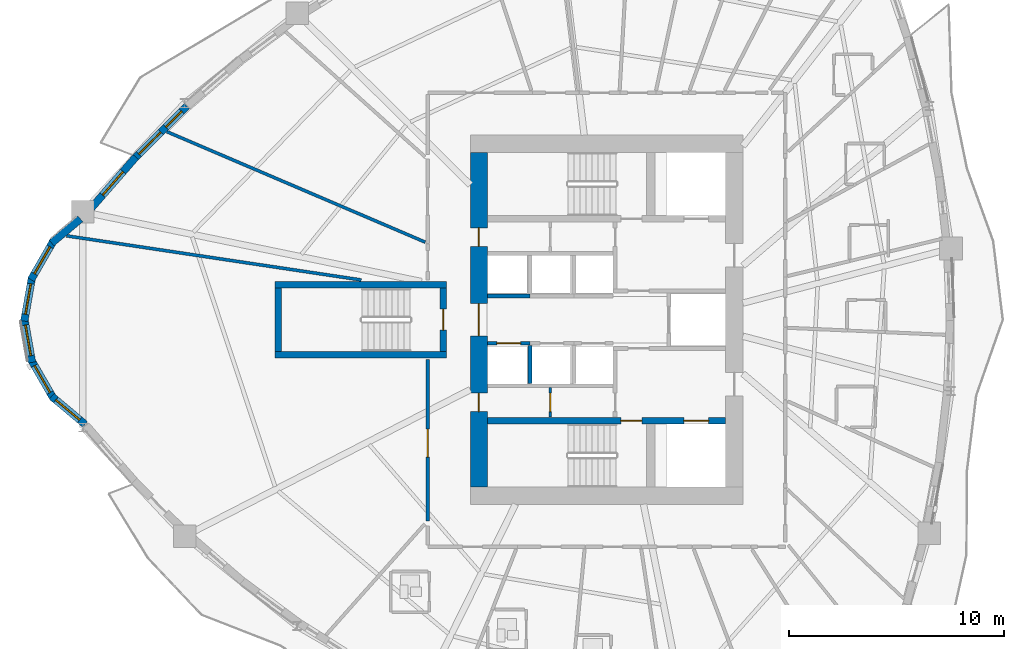
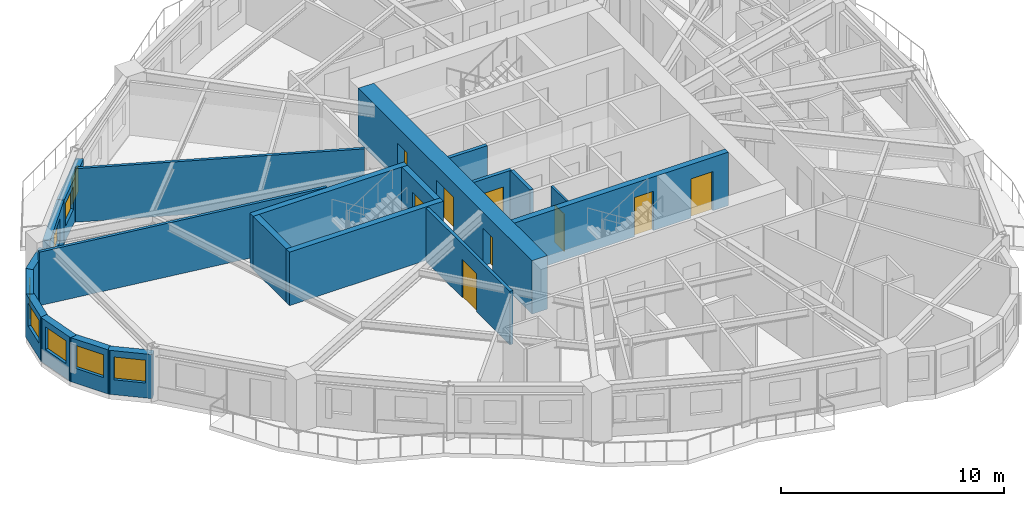
# One storey, part 4 of 14: 21 walls, 9 doors, 8 windows, 17 openings.
"""IFC4 building model written with IfcOpenShell, lengths in metres."""

from ifc_helpers import new_model, si_unit, direction, frame, frame_2d, origin, place, context, subcontext, project, spatial, rectangle, extrude, source, transform, mapped, material, layer, layer_set, type_object, element, fill, save


model = new_model("IFC4")

# Units and contexts
model_context = context("Model", 3, precision=1e-05, world=origin(), true_north=direction((0.0, 1.0)))
body_context = subcontext(model_context, "Body", "Model", "MODEL_VIEW")
ifc_project = project(units=[si_unit("LENGTHUNIT", "METRE"), si_unit("AREAUNIT", "SQUARE_METRE"), si_unit("VOLUMEUNIT", "CUBIC_METRE"), si_unit("PLANEANGLEUNIT", "RADIAN"), si_unit("MASSUNIT", "GRAM", prefix="KILO")], contexts=[model_context])

# Site, building, storey
site_placement = place(None, origin())
site = spatial("IfcSite", under=ifc_project, at=site_placement, CompositionType="ELEMENT")
building_placement = place(site_placement, origin())
building = spatial("IfcBuilding", under=site, at=building_placement, Name="Qafzar Sky-Pleat Residences", CompositionType="ELEMENT")
storey_placement = place(building_placement, frame((0.0, 0.0, 23.800048828125)))
storey = spatial("IfcBuildingStorey", under=building, at=storey_placement, Name="L06", CompositionType="ELEMENT", Elevation=23.800048828125)

# Wall, opening, door
ifc_material_1 = material(Name="Acoustic gypsum plasterboard partition", Category="gypsum")
ifc_layer_1 = layer(ifc_material_1, 0.159912109375)
ifc_layer_set_1 = layer_set([ifc_layer_1], Name="Acoustic gypsum plasterboard partition")
wall_type_1 = type_object("IfcWallType", Name="PART-COR-160", PredefinedType="PARTITIONING", material=ifc_layer_set_1)
wall_1_placement = place(storey_placement, frame((22.02001953125, 16.615966796875, 0.0), z_axis=(0.0, 0.0, 1.0), x_axis=(0.0, 1.0, 0.0)))
wall_1 = element("IfcWall", 1, at=wall_1_placement, inside=storey, type_object=wall_type_1, Name="L06 Partition Wall PART-L06-PW-001", PredefinedType="PARTITIONING", context=body_context, shape_type="SweptSolid", body=[
    extrude(rectangle(XDim=7.533935546875, YDim=0.159912109375, at=frame_2d((3.76708984375, 0.0))), origin(), (0.0, 0.0, 1.0), 2.93505859375),
])
opening_1_placement = place(wall_1_placement, frame((2.98046875, 0.0, 0.0)))
opening_1 = element("IfcOpeningElement", 2, at=opening_1_placement, cuts=wall_1, Name="Opening ID-05", PredefinedType="OPENING", context=body_context, shape_type="SweptSolid", body=[
    extrude(rectangle(XDim=1.300048828125, YDim=2.10009765625, at=frame_2d((0.64990234375, 1.050048828125))), frame((0.0, 0.08984375, 0.0), z_axis=(0.0, -1.0, 0.0), x_axis=(1.0, 0.0, 0.0)), (0.0, 0.0, 1.0), 0.179931640625),
])
ifc_material_2 = material(Name="Timber-faced fire door", Category="wood")
door_type_1 = type_object("IfcDoorType", Name="DR-LNG-1300", OperationType="DOUBLE_DOOR_SINGLE_SWING", PredefinedType="DOOR", material=ifc_material_2)
shared_shape_1 = source(origin(), body_context, "Body", "SweptSolid", [
    extrude(rectangle(XDim=1.300048828125, YDim=2.10009765625, at=frame_2d((0.64990234375, 1.050048828125))), frame((0.0, 0.02490234375, 0.0), z_axis=(0.0, -1.0, 0.0), x_axis=(1.0, 0.0, 0.0)), (0.0, 0.0, 1.0), 0.050048828125),
])
door_1_placement = place(opening_1_placement, origin())
door_1 = element("IfcDoor", 3, at=door_1_placement, inside=storey, type_object=door_type_1, Name="L06 Academic Seminar Room Door", OperationType="DOUBLE_DOOR_SINGLE_SWING", OverallHeight=2.10009765625, OverallWidth=1.300048828125, PredefinedType="DOOR", context=body_context, shape_type="MappedRepresentation", body=[
    mapped(shared_shape_1, transform((0.0, 0.0, 0.0), x_axis=(1.0, 0.0, 0.0), y_axis=(0.0, 1.0, 0.0), z_axis=(0.0, 0.0, 1.0), scale=1.0)),
])
fill(opening_1, door_1)

ifc_material_3 = material(Name="Concrete blockwork partition", Category="masonry")
ifc_layer_2 = layer(ifc_material_3, 0.179931640625)
ifc_layer_set_2 = layer_set([ifc_layer_2], Name="Concrete blockwork partition")
wall_type_2 = type_object("IfcWallType", Name="PART-SHAFT-180", PredefinedType="PARTITIONING", material=ifc_layer_set_2)
wall_2_placement = place(storey_placement, frame((24.81005859375, 24.89990234375, 0.0), z_axis=(0.0, 0.0, 1.0), x_axis=(1.0, 0.0, 0.0)))
wall_2 = element("IfcWall", 4, at=wall_2_placement, inside=storey, type_object=wall_type_2, Name="L06 Partition Wall PART-L06-P1-N", PredefinedType="PARTITIONING", context=body_context, shape_type="SweptSolid", body=[
    extrude(rectangle(XDim=1.96484375, YDim=0.179931640625, at=frame_2d((0.982421875, 0.0))), origin(), (0.0, 0.0, 1.0), 2.93505859375),
])
opening_2_placement = place(wall_2_placement, frame((0.4326171875, 0.0, 0.0)))
opening_2 = element("IfcOpeningElement", 5, at=opening_2_placement, cuts=wall_2, Name="Opening LD-01", PredefinedType="OPENING", context=body_context, shape_type="SweptSolid", body=[
    extrude(rectangle(XDim=1.10009765625, YDim=2.14990234375, at=frame_2d((0.550048828125, 1.074951171875))), frame((0.0, 0.10009765625, 0.0), z_axis=(0.0, -1.0, 0.0), x_axis=(1.0, 0.0, 0.0)), (0.0, 0.0, 1.0), 0.199951171875),
])
ifc_material_4 = material(Name="Stainless steel sliding landing door", Category="steel")
door_type_2 = type_object("IfcDoorType", Name="DR-LIFT-P", OperationType="DOUBLE_DOOR_SLIDING", PredefinedType="DOOR", material=ifc_material_4)
shared_shape_2 = source(origin(), body_context, "Body", "SweptSolid", [
    extrude(rectangle(XDim=1.10009765625, YDim=2.14990234375, at=frame_2d((0.550048828125, 1.074951171875))), frame((0.0, 0.02490234375, 0.0), z_axis=(0.0, -1.0, 0.0), x_axis=(1.0, 0.0, 0.0)), (0.0, 0.0, 1.0), 0.050048828125),
])
door_2_placement = place(opening_2_placement, origin())
door_2 = element("IfcDoor", 6, at=door_2_placement, inside=storey, type_object=door_type_2, Name="L06 Passenger Lift P1 Landing Door", OperationType="DOUBLE_DOOR_SLIDING", OverallHeight=2.14990234375, OverallWidth=1.10009765625, PredefinedType="DOOR", context=body_context, shape_type="MappedRepresentation", body=[
    mapped(shared_shape_2, transform((0.0, 0.0, 0.0), x_axis=(1.0, 0.0, 0.0), y_axis=(0.0, 1.0, 0.0), z_axis=(0.0, 0.0, 1.0), scale=1.0)),
])
fill(opening_2, door_2)

# Walls
wall_3_placement = place(storey_placement, frame((26.77490234375, 23.02001953125, 0.0), z_axis=(0.0, 0.0, 1.0), x_axis=(0.0, 1.0, 0.0)))
element("IfcWall", 7, at=wall_3_placement, inside=storey, type_object=wall_type_2, Name="L06 Partition Wall PART-L06-P13-DIV-1", PredefinedType="PARTITIONING", context=body_context, shape_type="SweptSolid", body=[
    extrude(rectangle(XDim=1.780029296875, YDim=0.179931640625, at=frame_2d((0.89013671875, 0.0))), origin(), (0.0, 0.0, 1.0), 2.93505859375),
])
wall_4_placement = place(storey_placement, frame((24.81005859375, 27.10009765625, 0.0), z_axis=(0.0, 0.0, 1.0), x_axis=(1.0, 0.0, 0.0)))
element("IfcWall", 8, at=wall_4_placement, inside=storey, type_object=wall_type_2, Name="L06 Partition Wall PART-L06-P4-S", PredefinedType="PARTITIONING", context=body_context, shape_type="SweptSolid", body=[
    extrude(rectangle(XDim=1.96484375, YDim=0.179931640625, at=frame_2d((0.982421875, 0.0))), origin(), (0.0, 0.0, 1.0), 2.93505859375),
])

# Wall, opening, door
ifc_material_5 = material(Name="Gypsum plasterboard partition", Category="gypsum")
ifc_layer_3 = layer(ifc_material_5, 0.114990234375)
ifc_layer_set_3 = layer_set([ifc_layer_3], Name="Gypsum plasterboard partition")
wall_type_3 = type_object("IfcWallType", Name="PART-SVC-115", PredefinedType="PARTITIONING", material=ifc_layer_set_3)
wall_5_placement = place(storey_placement, frame((27.72509765625, 21.4599609375, 0.0), z_axis=(0.0, 0.0, 1.0), x_axis=(0.0, 1.0, 0.0)))
wall_5 = element("IfcWall", 9, at=wall_5_placement, inside=storey, type_object=wall_type_3, Name="L06 Partition Wall PART-L06-KB-SW", PredefinedType="PARTITIONING", context=body_context, shape_type="SweptSolid", body=[
    extrude(rectangle(XDim=1.380126953125, YDim=0.114990234375, at=frame_2d((0.68994140625, 0.0))), origin(), (0.0, 0.0, 1.0), 2.93505859375),
])
opening_3_placement = place(wall_5_placement, frame((0.260009765625, 0.0, 0.0)))
opening_3 = element("IfcOpeningElement", 10, at=opening_3_placement, cuts=wall_5, Name="Opening ID-09", PredefinedType="OPENING", context=body_context, shape_type="SweptSolid", body=[
    extrude(rectangle(XDim=0.860107421875, YDim=2.050048828125, at=frame_2d((0.43017578125, 1.02490234375))), frame((0.0, 0.0673828125, 0.0), z_axis=(0.0, -1.0, 0.0), x_axis=(1.0, 0.0, 0.0)), (0.0, 0.0, 1.0), 0.135009765625),
])
door_type_3 = type_object("IfcDoorType", Name="DR-SVC-860", OperationType="NOTDEFINED", PredefinedType="DOOR", material=ifc_material_2)
shared_shape_3 = source(origin(), body_context, "Body", "SweptSolid", [
    extrude(rectangle(XDim=0.860107421875, YDim=2.050048828125, at=frame_2d((0.43017578125, 1.02490234375))), frame((0.0, 0.02490234375, 0.0), z_axis=(0.0, -1.0, 0.0), x_axis=(1.0, 0.0, 0.0)), (0.0, 0.0, 1.0), 0.050048828125),
])
door_3_placement = place(opening_3_placement, origin())
door_3 = element("IfcDoor", 11, at=door_3_placement, inside=storey, type_object=door_type_3, Name="L06 BMS Metering Cupboard Door", OperationType="SINGLE_SWING_RIGHT", OverallHeight=2.050048828125, OverallWidth=0.860107421875, PredefinedType="DOOR", context=body_context, shape_type="MappedRepresentation", body=[
    mapped(shared_shape_3, transform((0.0, 0.0, 0.0), x_axis=(1.0, 0.0, 0.0), y_axis=(0.0, 1.0, 0.0), z_axis=(0.0, 0.0, 1.0), scale=1.0)),
])
fill(opening_3, door_3)

# Walls
ifc_layer_4 = layer(ifc_material_1, 0.14501953125)
ifc_layer_set_4 = layer_set([ifc_layer_4], Name="Acoustic gypsum plasterboard partition")
wall_type_4 = type_object("IfcWallType", Name="PART-UNIT-145", PredefinedType="PARTITIONING", material=ifc_layer_set_4)
wall_6_placement = place(storey_placement, frame((5.18505859375, 29.908203125, 0.0), z_axis=(0.0, 0.0, 1.0), x_axis=(0.988958777333, -0.148190879394, 0.0)))
element("IfcWall", 12, at=wall_6_placement, inside=storey, type_object=wall_type_4, Name="L06 Partition Wall PART-L06-PW-034", PredefinedType="PARTITIONING", context=body_context, shape_type="SweptSolid", body=[
    extrude(rectangle(XDim=13.88818359375, YDim=0.14501953125, at=frame_2d((6.944091796875, 0.0))), origin(), (0.0, 0.0, 1.0), 2.93505859375),
])
wall_7_placement = place(storey_placement, frame((9.869140625, 34.7568359375, 0.0), z_axis=(0.0, 0.0, 1.0), x_axis=(0.919492001568, -0.393108711493, 0.0)))
element("IfcWall", 13, at=wall_7_placement, inside=storey, type_object=wall_type_4, Name="L06 Partition Wall PART-L06-PW-035", PredefinedType="PARTITIONING", context=body_context, shape_type="SweptSolid", body=[
    extrude(rectangle(XDim=13.088623046875, YDim=0.14501953125, at=frame_2d((6.54443359375, 0.0))), origin(), (0.0, 0.0, 1.0), 2.93505859375),
])
ifc_material_6 = material(Name="Precast concrete C40/50 with honed Riyadh limestone", Category="concrete")
ifc_layer_5 = layer(ifc_material_6, 0.35009765625)
ifc_layer_set_5 = layer_set([ifc_layer_5], Name="Precast concrete C40/50 with honed Riyadh limestone")
wall_type_5 = type_object("IfcWallType", Name="WALL-EXT-350", PredefinedType="SOLIDWALL", material=ifc_layer_set_5)
wall_8_placement = place(storey_placement, frame((5.837646484375, 30.696044921875, 0.0), z_axis=(0.0, 0.0, 1.0), x_axis=(-0.766001205563, -0.64283913468, 0.0)))
element("IfcWall", 14, at=wall_8_placement, inside=storey, type_object=wall_type_5, Name="L06 Limestone Facade Wall 1", PredefinedType="SOLIDWALL", context=body_context, shape_type="SweptSolid", body=[
    extrude(rectangle(XDim=1.75244140625, YDim=0.35009765625, at=frame_2d((0.876220703125, 0.0))), origin(), (0.0, 0.0, 1.0), 2.4150390625),
])

# Wall, opening, window
wall_9_placement = place(storey_placement, frame((4.58251953125, 29.673583984375, 0.0), z_axis=(0.0, 0.0, 1.0), x_axis=(-0.499995423472, -0.866028046028, 0.0)))
wall_9 = element("IfcWall", 15, at=wall_9_placement, inside=storey, type_object=wall_type_5, Name="L06 Limestone Facade Wall 2", PredefinedType="SOLIDWALL", context=body_context, shape_type="SweptSolid", body=[
    extrude(rectangle(XDim=2.09033203125, YDim=0.35009765625, at=frame_2d((1.045166015625, 0.0))), origin(), (0.0, 0.0, 1.0), 2.4150390625),
])
opening_4_placement = place(wall_9_placement, frame((0.3203125, 0.0, 0.820068359375)))
opening_4 = element("IfcOpeningElement", 16, at=opening_4_placement, cuts=wall_9, Name="Opening WN-15", PredefinedType="OPENING", context=body_context, shape_type="SweptSolid", body=[
    extrude(rectangle(XDim=1.449951171875, YDim=1.25, at=frame_2d((0.72509765625, 0.625))), frame((0.0, 0.18505859375, 0.0), z_axis=(0.0, -1.0, 0.0), x_axis=(1.0, 0.0, 0.0)), (0.0, 0.0, 1.0), 0.3701171875),
])
ifc_material_7 = material(Name="Solar-control low-E glass in bronze aluminium frame", Category="glass")
window_type_1 = type_object("IfcWindowType", Name="WIN-15", PartitioningType="SINGLE_PANEL", PredefinedType="WINDOW", material=ifc_material_7)
shared_shape_4 = source(origin(), body_context, "Body", "SweptSolid", [
    extrude(rectangle(XDim=1.449951171875, YDim=1.25, at=frame_2d((0.72509765625, 0.625))), frame((0.0, 0.030029296875, 0.0), z_axis=(0.0, -1.0, 0.0), x_axis=(1.0, 0.0, 0.0)), (0.0, 0.0, 1.0), 0.06005859375),
])
window_1_placement = place(opening_4_placement, origin())
window_1 = element("IfcWindow", 17, at=window_1_placement, inside=storey, type_object=window_type_1, Name="L06 Punched Facade Window 02", OverallHeight=1.25, OverallWidth=1.449951171875, PartitioningType="SINGLE_PANEL", PredefinedType="WINDOW", context=body_context, shape_type="MappedRepresentation", body=[
    mapped(shared_shape_4, transform((0.0, 0.0, 0.0), x_axis=(1.0, 0.0, 0.0), y_axis=(0.0, 1.0, 0.0), z_axis=(0.0, 0.0, 1.0), scale=1.0)),
])
fill(opening_4, window_1)

wall_10_placement = place(storey_placement, frame((3.583740234375, 27.99072265625, 0.0), z_axis=(0.0, 0.0, 1.0), x_axis=(-0.173672066494, -0.984803540469, 0.0)))
wall_10 = element("IfcWall", 18, at=wall_10_placement, inside=storey, type_object=wall_type_5, Name="L06 Limestone Facade Wall 3", PredefinedType="SOLIDWALL", context=body_context, shape_type="SweptSolid", body=[
    extrude(rectangle(XDim=2.09033203125, YDim=0.35009765625, at=frame_2d((1.045166015625, 0.0))), origin(), (0.0, 0.0, 1.0), 2.4150390625),
])
opening_5_placement = place(wall_10_placement, frame((0.3203125, 0.0, 0.820068359375)))
opening_5 = element("IfcOpeningElement", 19, at=opening_5_placement, cuts=wall_10, Name="Opening WN-15", PredefinedType="OPENING", context=body_context, shape_type="SweptSolid", body=[
    extrude(rectangle(XDim=1.449951171875, YDim=1.25, at=frame_2d((0.72509765625, 0.625))), frame((0.0, 0.18505859375, 0.0), z_axis=(0.0, -1.0, 0.0), x_axis=(1.0, 0.0, 0.0)), (0.0, 0.0, 1.0), 0.3701171875),
])
window_2_placement = place(opening_5_placement, origin())
window_2 = element("IfcWindow", 20, at=window_2_placement, inside=storey, type_object=window_type_1, Name="L06 Punched Facade Window 03", OverallHeight=1.25, OverallWidth=1.449951171875, PartitioningType="SINGLE_PANEL", PredefinedType="WINDOW", context=body_context, shape_type="MappedRepresentation", body=[
    mapped(shared_shape_4, transform((0.0, 0.0, 0.0), x_axis=(1.0, 0.0, 0.0), y_axis=(0.0, 1.0, 0.0), z_axis=(0.0, 0.0, 1.0), scale=1.0)),
])
fill(opening_5, window_2)

wall_11_placement = place(storey_placement, frame((3.220703125, 26.06787109375, 0.0), z_axis=(0.0, 0.0, 1.0), x_axis=(0.173672066494, -0.984803540469, 0.0)))
wall_11 = element("IfcWall", 21, at=wall_11_placement, inside=storey, type_object=wall_type_5, Name="L06 Limestone Facade Wall 4", PredefinedType="SOLIDWALL", context=body_context, shape_type="SweptSolid", body=[
    extrude(rectangle(XDim=2.09033203125, YDim=0.35009765625, at=frame_2d((1.045166015625, 0.0))), origin(), (0.0, 0.0, 1.0), 2.4150390625),
])
opening_6_placement = place(wall_11_placement, frame((0.3203125, 0.0, 0.820068359375)))
opening_6 = element("IfcOpeningElement", 22, at=opening_6_placement, cuts=wall_11, Name="Opening WN-15", PredefinedType="OPENING", context=body_context, shape_type="SweptSolid", body=[
    extrude(rectangle(XDim=1.449951171875, YDim=1.25, at=frame_2d((0.72509765625, 0.625))), frame((0.0, 0.18505859375, 0.0), z_axis=(0.0, -1.0, 0.0), x_axis=(1.0, 0.0, 0.0)), (0.0, 0.0, 1.0), 0.3701171875),
])
window_3_placement = place(opening_6_placement, origin())
window_3 = element("IfcWindow", 23, at=window_3_placement, inside=storey, type_object=window_type_1, Name="L06 Punched Facade Window 04", OverallHeight=1.25, OverallWidth=1.449951171875, PartitioningType="SINGLE_PANEL", PredefinedType="WINDOW", context=body_context, shape_type="MappedRepresentation", body=[
    mapped(shared_shape_4, transform((0.0, 0.0, 0.0), x_axis=(1.0, 0.0, 0.0), y_axis=(0.0, 1.0, 0.0), z_axis=(0.0, 0.0, 1.0), scale=1.0)),
])
fill(opening_6, window_3)

wall_12_placement = place(storey_placement, frame((3.537353515625, 24.13671875, 0.0), z_axis=(0.0, 0.0, 1.0), x_axis=(0.499995423472, -0.866028046028, 0.0)))
wall_12 = element("IfcWall", 24, at=wall_12_placement, inside=storey, type_object=wall_type_5, Name="L06 Limestone Facade Wall 5", PredefinedType="SOLIDWALL", context=body_context, shape_type="SweptSolid", body=[
    extrude(rectangle(XDim=2.09033203125, YDim=0.35009765625, at=frame_2d((1.045166015625, 0.0))), origin(), (0.0, 0.0, 1.0), 2.4150390625),
])
opening_7_placement = place(wall_12_placement, frame((0.3203125, 0.0, 0.820068359375)))
opening_7 = element("IfcOpeningElement", 25, at=opening_7_placement, cuts=wall_12, Name="Opening WN-15", PredefinedType="OPENING", context=body_context, shape_type="SweptSolid", body=[
    extrude(rectangle(XDim=1.449951171875, YDim=1.25, at=frame_2d((0.72509765625, 0.625))), frame((0.0, 0.18505859375, 0.0), z_axis=(0.0, -1.0, 0.0), x_axis=(1.0, 0.0, 0.0)), (0.0, 0.0, 1.0), 0.3701171875),
])
window_4_placement = place(opening_7_placement, origin())
window_4 = element("IfcWindow", 26, at=window_4_placement, inside=storey, type_object=window_type_1, Name="L06 Punched Facade Window 05", OverallHeight=1.25, OverallWidth=1.449951171875, PartitioningType="SINGLE_PANEL", PredefinedType="WINDOW", context=body_context, shape_type="MappedRepresentation", body=[
    mapped(shared_shape_4, transform((0.0, 0.0, 0.0), x_axis=(1.0, 0.0, 0.0), y_axis=(0.0, 1.0, 0.0), z_axis=(0.0, 0.0, 1.0), scale=1.0)),
])
fill(opening_7, window_4)

wall_13_placement = place(storey_placement, frame((4.495361328125, 22.430419921875, 0.0), z_axis=(0.0, 0.0, 1.0), x_axis=(0.766040796373, -0.642791955684, 0.0)))
wall_13 = element("IfcWall", 27, at=wall_13_placement, inside=storey, type_object=wall_type_5, Name="L06 Limestone Facade Wall 6", PredefinedType="SOLIDWALL", context=body_context, shape_type="SweptSolid", body=[
    extrude(rectangle(XDim=2.032470703125, YDim=0.35009765625, at=frame_2d((1.01611328125, 0.0))), origin(), (0.0, 0.0, 1.0), 2.4150390625),
])
opening_8_placement = place(wall_13_placement, frame((0.26123046875, 0.0, 0.820068359375)))
opening_8 = element("IfcOpeningElement", 28, at=opening_8_placement, cuts=wall_13, Name="Opening WN-15", PredefinedType="OPENING", context=body_context, shape_type="SweptSolid", body=[
    extrude(rectangle(XDim=1.449951171875, YDim=1.25, at=frame_2d((0.72509765625, 0.625))), frame((0.0, 0.18505859375, 0.0), z_axis=(0.0, -1.0, 0.0), x_axis=(1.0, 0.0, 0.0)), (0.0, 0.0, 1.0), 0.3701171875),
])
window_5_placement = place(opening_8_placement, origin())
window_5 = element("IfcWindow", 29, at=window_5_placement, inside=storey, type_object=window_type_1, Name="L06 Punched Facade Window 06", OverallHeight=1.25, OverallWidth=1.449951171875, PartitioningType="SINGLE_PANEL", PredefinedType="WINDOW", context=body_context, shape_type="MappedRepresentation", body=[
    mapped(shared_shape_4, transform((0.0, 0.0, 0.0), x_axis=(1.0, 0.0, 0.0), y_axis=(0.0, 1.0, 0.0), z_axis=(0.0, 0.0, 1.0), scale=1.0)),
])
fill(opening_8, window_5)

# Wall, openings, windows
wall_14_placement = place(storey_placement, frame((10.7998046875, 35.947021484375, 0.0), z_axis=(0.0, 0.0, 1.0), x_axis=(-0.708379570295, -0.705831696928, 0.0)))
wall_14 = element("IfcWall", 30, at=wall_14_placement, inside=storey, type_object=wall_type_5, Name="L06 Limestone Facade Wall 47", PredefinedType="SOLIDWALL", context=body_context, shape_type="SweptSolid", body=[
    extrude(rectangle(XDim=3.449462890625, YDim=0.35009765625, at=frame_2d((1.724609375, 0.0))), origin(), (0.0, 0.0, 1.0), 2.4150390625),
])
opening_9_placement = place(wall_14_placement, frame((0.338623046875, 0.0, 0.820068359375)))
opening_9 = element("IfcOpeningElement", 31, at=opening_9_placement, cuts=wall_14, Name="Opening WN-06", PredefinedType="OPENING", context=body_context, shape_type="SweptSolid", body=[
    extrude(rectangle(XDim=1.050048828125, YDim=1.449951171875, at=frame_2d((0.52490234375, 0.72509765625))), frame((0.0, 0.18505859375, 0.0), z_axis=(0.0, -1.0, 0.0), x_axis=(1.0, 0.0, 0.0)), (0.0, 0.0, 1.0), 0.3701171875),
])
opening_10_placement = place(wall_14_placement, frame((1.71337890625, 0.0, 0.820068359375)))
opening_10 = element("IfcOpeningElement", 32, at=opening_10_placement, cuts=wall_14, Name="Opening WN-15", PredefinedType="OPENING", context=body_context, shape_type="SweptSolid", body=[
    extrude(rectangle(XDim=1.449951171875, YDim=1.25, at=frame_2d((0.72509765625, 0.625))), frame((0.0, 0.18505859375, 0.0), z_axis=(0.0, -1.0, 0.0), x_axis=(1.0, 0.0, 0.0)), (0.0, 0.0, 1.0), 0.3701171875),
])
window_6_placement = place(opening_10_placement, origin())
window_6 = element("IfcWindow", 33, at=window_6_placement, inside=storey, type_object=window_type_1, Name="L06 Punched Facade Window 47-2", OverallHeight=1.25, OverallWidth=1.449951171875, PartitioningType="SINGLE_PANEL", PredefinedType="WINDOW", context=body_context, shape_type="MappedRepresentation", body=[
    mapped(shared_shape_4, transform((0.0, 0.0, 0.0), x_axis=(1.0, 0.0, 0.0), y_axis=(0.0, 1.0, 0.0), z_axis=(0.0, 0.0, 1.0), scale=1.0)),
])
fill(opening_10, window_6)
window_type_2 = type_object("IfcWindowType", Name="WIN-06", PartitioningType="SINGLE_PANEL", PredefinedType="WINDOW", material=ifc_material_7)
shared_shape_5 = source(origin(), body_context, "Body", "SweptSolid", [
    extrude(rectangle(XDim=1.050048828125, YDim=1.449951171875, at=frame_2d((0.52490234375, 0.72509765625))), frame((0.0, 0.030029296875, 0.0), z_axis=(0.0, -1.0, 0.0), x_axis=(1.0, 0.0, 0.0)), (0.0, 0.0, 1.0), 0.06005859375),
])
window_7_placement = place(opening_9_placement, origin())
window_7 = element("IfcWindow", 34, at=window_7_placement, inside=storey, type_object=window_type_2, Name="L06 Punched Facade Window 47", OverallHeight=1.449951171875, OverallWidth=1.050048828125, PartitioningType="SINGLE_PANEL", PredefinedType="WINDOW", context=body_context, shape_type="MappedRepresentation", body=[
    mapped(shared_shape_5, transform((0.0, 0.0, 0.0), x_axis=(1.0, 0.0, 0.0), y_axis=(0.0, 1.0, 0.0), z_axis=(0.0, 0.0, 1.0), scale=1.0)),
])
fill(opening_9, window_7)

# Wall, opening, window
wall_15_placement = place(storey_placement, frame((8.41650390625, 33.57666015625, 0.0), z_axis=(0.0, 0.0, 1.0), x_axis=(-0.657597964565, -0.75336904436, 0.0)))
wall_15 = element("IfcWall", 35, at=wall_15_placement, inside=storey, type_object=wall_type_5, Name="L06 Limestone Facade Wall 48", PredefinedType="SOLIDWALL", context=body_context, shape_type="SweptSolid", body=[
    extrude(rectangle(XDim=3.24267578125, YDim=0.35009765625, at=frame_2d((1.621337890625, 0.0))), origin(), (0.0, 0.0, 1.0), 2.4150390625),
])
opening_11_placement = place(wall_15_placement, frame((0.9013671875, 0.0, 0.820068359375)))
opening_11 = element("IfcOpeningElement", 36, at=opening_11_placement, cuts=wall_15, Name="Opening WN-15", PredefinedType="OPENING", context=body_context, shape_type="SweptSolid", body=[
    extrude(rectangle(XDim=1.449951171875, YDim=1.25, at=frame_2d((0.72509765625, 0.625))), frame((0.0, 0.18505859375, 0.0), z_axis=(0.0, -1.0, 0.0), x_axis=(1.0, 0.0, 0.0)), (0.0, 0.0, 1.0), 0.3701171875),
])
window_8_placement = place(opening_11_placement, origin())
window_8 = element("IfcWindow", 37, at=window_8_placement, inside=storey, type_object=window_type_1, Name="L06 Punched Facade Window 48", OverallHeight=1.25, OverallWidth=1.449951171875, PartitioningType="SINGLE_PANEL", PredefinedType="WINDOW", context=body_context, shape_type="MappedRepresentation", body=[
    mapped(shared_shape_4, transform((0.0, 0.0, 0.0), x_axis=(1.0, 0.0, 0.0), y_axis=(0.0, 1.0, 0.0), z_axis=(0.0, 0.0, 1.0), scale=1.0)),
])
fill(opening_11, window_8)

# Wall, openings, doors
ifc_material_8 = material(Name="Concrete C60/75", Category="concrete")
ifc_layer_6 = layer(ifc_material_8, 0.300048828125)
ifc_layer_set_6 = layer_set([ifc_layer_6], Name="Concrete C60/75")
wall_type_6 = type_object("IfcWallType", Name="WALL-SHEAR-300", PredefinedType="SHEAR", material=ifc_layer_set_6)
wall_16_placement = place(storey_placement, frame((24.800048828125, 21.300048828125, 0.0), z_axis=(0.0, 0.0, 1.0), x_axis=(1.0, 0.0, 0.0)))
wall_16 = element("IfcWall", 38, at=wall_16_placement, inside=storey, type_object=wall_type_6, Name="L06 Stair ST1 and FF1 Shaft North Wall", PredefinedType="SHEAR", context=body_context, shape_type="SweptSolid", body=[
    extrude(rectangle(XDim=11.099853515625, YDim=0.300048828125, at=frame_2d((5.5498046875, 0.0))), origin(), (0.0, 0.0, 1.0), 2.93505859375),
])
opening_12_placement = place(wall_16_placement, frame((6.219970703125, 0.0, 0.0)))
opening_12 = element("IfcOpeningElement", 39, at=opening_12_placement, cuts=wall_16, Name="Opening ID-01", PredefinedType="OPENING", context=body_context, shape_type="SweptSolid", body=[
    extrude(rectangle(XDim=0.97998046875, YDim=2.14990234375, at=frame_2d((0.489990234375, 1.074951171875))), frame((0.0, 0.16015625, 0.0), z_axis=(0.0, -1.0, 0.0), x_axis=(1.0, 0.0, 0.0)), (0.0, 0.0, 1.0), 0.320068359375),
])
opening_13_placement = place(wall_16_placement, frame((9.14990234375, 0.0, 0.0)))
opening_13 = element("IfcOpeningElement", 40, at=opening_13_placement, cuts=wall_16, Name="Opening LD-02", PredefinedType="OPENING", context=body_context, shape_type="SweptSolid", body=[
    extrude(rectangle(XDim=1.14990234375, YDim=2.14990234375, at=frame_2d((0.574951171875, 1.074951171875))), frame((0.0, 0.16015625, 0.0), z_axis=(0.0, -1.0, 0.0), x_axis=(1.0, 0.0, 0.0)), (0.0, 0.0, 1.0), 0.320068359375),
])
door_type_4 = type_object("IfcDoorType", Name="DR-STAIR-980", OperationType="NOTDEFINED", PredefinedType="DOOR", material=ifc_material_2)
shared_shape_6 = source(origin(), body_context, "Body", "SweptSolid", [
    extrude(rectangle(XDim=0.97998046875, YDim=2.14990234375, at=frame_2d((0.489990234375, 1.074951171875))), frame((0.0, 0.02490234375, 0.0), z_axis=(0.0, -1.0, 0.0), x_axis=(1.0, 0.0, 0.0)), (0.0, 0.0, 1.0), 0.050048828125),
])
door_4_placement = place(opening_12_placement, origin())
door_4 = element("IfcDoor", 41, at=door_4_placement, inside=storey, type_object=door_type_4, Name="L06 Stair ST1 Fire Door", OperationType="SINGLE_SWING_LEFT", OverallHeight=2.14990234375, OverallWidth=0.97998046875, PredefinedType="DOOR", context=body_context, shape_type="MappedRepresentation", body=[
    mapped(shared_shape_6, transform((0.0, 0.0, 0.0), x_axis=(1.0, 0.0, 0.0), y_axis=(0.0, 1.0, 0.0), z_axis=(0.0, 0.0, 1.0), scale=1.0)),
])
fill(opening_12, door_4)
door_type_5 = type_object("IfcDoorType", Name="DR-LIFT-FF", OperationType="DOUBLE_DOOR_SLIDING", PredefinedType="DOOR", material=ifc_material_4)
shared_shape_7 = source(origin(), body_context, "Body", "SweptSolid", [
    extrude(rectangle(XDim=1.14990234375, YDim=2.14990234375, at=frame_2d((0.574951171875, 1.074951171875))), frame((0.0, 0.02490234375, 0.0), z_axis=(0.0, -1.0, 0.0), x_axis=(1.0, 0.0, 0.0)), (0.0, 0.0, 1.0), 0.050048828125),
])
door_5_placement = place(opening_13_placement, origin())
door_5 = element("IfcDoor", 42, at=door_5_placement, inside=storey, type_object=door_type_5, Name="L06 Firefighting Lift FF1 Landing Door", OperationType="DOUBLE_DOOR_SLIDING", OverallHeight=2.14990234375, OverallWidth=1.14990234375, PredefinedType="DOOR", context=body_context, shape_type="MappedRepresentation", body=[
    mapped(shared_shape_7, transform((0.0, 0.0, 0.0), x_axis=(1.0, 0.0, 0.0), y_axis=(0.0, 1.0, 0.0), z_axis=(0.0, 0.0, 1.0), scale=1.0)),
])
fill(opening_13, door_5)

# Walls
for number, where, z_axis, x_axis, name in (
    (43, (14.89990234375, 24.375, 0.0), (0.0, 0.0, 1.0), (1.0, 0.0, 0.0), "L06 ST3 wall S"),
    (44, (22.89990234375, 27.625, 0.0), (0.0, 0.0, 1.0), (-1.0, 0.0, 0.0), "L06 ST3 wall N"),
):
    element("IfcWall", number, at=place(storey_placement, frame(where, z_axis=z_axis, x_axis=x_axis)), inside=storey, type_object=wall_type_6, Name=name, PredefinedType="SHEAR", context=body_context, shape_type="SweptSolid", body=[
        extrude(rectangle(XDim=8.0, YDim=0.300048828125, at=frame_2d((4.0, 0.0))), origin(), (0.0, 0.0, 1.0), 2.93505859375),
    ])
wall_17_placement = place(storey_placement, frame((15.050048828125, 27.47509765625, 0.0), z_axis=(0.0, 0.0, 1.0), x_axis=(0.0, -1.0, 0.0)))
element("IfcWall", 45, at=wall_17_placement, inside=storey, type_object=wall_type_6, Name="L06 ST3 wall W", PredefinedType="SHEAR", context=body_context, shape_type="SweptSolid", body=[
    extrude(rectangle(XDim=2.9501953125, YDim=0.300048828125, at=frame_2d((1.47509765625, 0.0))), origin(), (0.0, 0.0, 1.0), 2.93505859375),
])

# Wall, opening, door
wall_18_placement = place(storey_placement, frame((22.75, 24.52490234375, 0.0), z_axis=(0.0, 0.0, 1.0), x_axis=(0.0, 1.0, 0.0)))
wall_18 = element("IfcWall", 46, at=wall_18_placement, inside=storey, type_object=wall_type_6, Name="L06 ST3 wall E", PredefinedType="SHEAR", context=body_context, shape_type="SweptSolid", body=[
    extrude(rectangle(XDim=2.9501953125, YDim=0.300048828125, at=frame_2d((1.47509765625, 0.0))), origin(), (0.0, 0.0, 1.0), 2.93505859375),
])
opening_14_placement = place(wall_18_placement, frame((0.985107421875, 0.0, 0.0)))
opening_14 = element("IfcOpeningElement", 47, at=opening_14_placement, cuts=wall_18, Name="Opening ID-01", PredefinedType="OPENING", context=body_context, shape_type="SweptSolid", body=[
    extrude(rectangle(XDim=0.97998046875, YDim=2.14990234375, at=frame_2d((0.489990234375, 1.074951171875))), frame((0.0, 0.16015625, 0.0), z_axis=(0.0, -1.0, 0.0), x_axis=(1.0, 0.0, 0.0)), (0.0, 0.0, 1.0), 0.320068359375),
])
door_6_placement = place(opening_14_placement, origin())
door_6 = element("IfcDoor", 48, at=door_6_placement, inside=storey, type_object=door_type_4, Name="L06 Stair ST3 Fire Door", OperationType="SINGLE_SWING_LEFT", OverallHeight=2.14990234375, OverallWidth=0.97998046875, PredefinedType="DOOR", context=body_context, shape_type="MappedRepresentation", body=[
    mapped(shared_shape_6, transform((0.0, 0.0, 0.0), x_axis=(1.0, 0.0, 0.0), y_axis=(0.0, 1.0, 0.0), z_axis=(0.0, 0.0, 1.0), scale=1.0)),
])
fill(opening_14, door_6)

# Wall, openings, doors
ifc_layer_7 = layer(ifc_material_8, 0.800048828125)
ifc_layer_set_7 = layer_set([ifc_layer_7], Name="Concrete C60/75")
wall_type_7 = type_object("IfcWallType", Name="WALL-SHEAR-800", PredefinedType="SHEAR", material=ifc_layer_set_7)
wall_19_placement = place(storey_placement, frame((24.39990234375, 33.800048828125, 0.0), z_axis=(0.0, 0.0, 1.0), x_axis=(0.0, -1.0, 0.0)))
wall_19 = element("IfcWall", 49, at=wall_19_placement, inside=storey, type_object=wall_type_7, Name="L06 CORE wall W", PredefinedType="SHEAR", context=body_context, shape_type="SweptSolid", body=[
    extrude(rectangle(XDim=15.60009765625, YDim=0.800048828125, at=frame_2d((7.800048828125, 0.0))), origin(), (0.0, 0.0, 1.0), 2.93505859375),
])
opening_15_placement = place(wall_19_placement, frame((7.050048828125, 0.0, 0.0)))
opening_15 = element("IfcOpeningElement", 50, at=opening_15_placement, cuts=wall_19, Name="Opening ID-03", PredefinedType="OPENING", context=body_context, shape_type="SweptSolid", body=[
    extrude(rectangle(XDim=1.5, YDim=2.14990234375, at=frame_2d((0.75, 1.074951171875))), frame((0.0, 0.41015625, 0.0), z_axis=(0.0, -1.0, 0.0), x_axis=(1.0, 0.0, 0.0)), (0.0, 0.0, 1.0), 0.820068359375),
])
opening_16_placement = place(wall_19_placement, frame((3.52001953125, 0.0, 0.0)))
opening_16 = element("IfcOpeningElement", 51, at=opening_16_placement, cuts=wall_19, Name="Opening ID-09", PredefinedType="OPENING", context=body_context, shape_type="SweptSolid", body=[
    extrude(rectangle(XDim=0.860107421875, YDim=2.050048828125, at=frame_2d((0.43017578125, 1.02490234375))), frame((0.0, 0.41015625, 0.0), z_axis=(0.0, -1.0, 0.0), x_axis=(1.0, 0.0, 0.0)), (0.0, 0.0, 1.0), 0.820068359375),
])
opening_17_placement = place(wall_19_placement, frame((11.219970703125, 0.0, 0.0)))
opening_17 = element("IfcOpeningElement", 52, at=opening_17_placement, cuts=wall_19, Name="Opening ID-09", PredefinedType="OPENING", context=body_context, shape_type="SweptSolid", body=[
    extrude(rectangle(XDim=0.860107421875, YDim=2.050048828125, at=frame_2d((0.43017578125, 1.02490234375))), frame((0.0, 0.41015625, 0.0), z_axis=(0.0, -1.0, 0.0), x_axis=(1.0, 0.0, 0.0)), (0.0, 0.0, 1.0), 0.820068359375),
])
door_type_6 = type_object("IfcDoorType", Name="DR-COR-1500", OperationType="DOUBLE_DOOR_SINGLE_SWING", PredefinedType="DOOR", material=ifc_material_2)
shared_shape_8 = source(origin(), body_context, "Body", "SweptSolid", [
    extrude(rectangle(XDim=1.5, YDim=2.14990234375, at=frame_2d((0.75, 1.074951171875))), frame((0.0, 0.02490234375, 0.0), z_axis=(0.0, -1.0, 0.0), x_axis=(1.0, 0.0, 0.0)), (0.0, 0.0, 1.0), 0.050048828125),
])
door_7_placement = place(opening_15_placement, origin())
door_7 = element("IfcDoor", 53, at=door_7_placement, inside=storey, type_object=door_type_6, Name="L06 Lift Lobby West Double Door", OperationType="DOUBLE_DOOR_SINGLE_SWING", OverallHeight=2.14990234375, OverallWidth=1.5, PredefinedType="DOOR", context=body_context, shape_type="MappedRepresentation", body=[
    mapped(shared_shape_8, transform((0.0, 0.0, 0.0), x_axis=(1.0, 0.0, 0.0), y_axis=(0.0, 1.0, 0.0), z_axis=(0.0, 0.0, 1.0), scale=1.0)),
])
fill(opening_15, door_7)
door_8_placement = place(opening_16_placement, origin())
door_8 = element("IfcDoor", 54, at=door_8_placement, inside=storey, type_object=door_type_3, Name="L06 Core North-West Service Door", OperationType="SINGLE_SWING_RIGHT", OverallHeight=2.050048828125, OverallWidth=0.860107421875, PredefinedType="DOOR", context=body_context, shape_type="MappedRepresentation", body=[
    mapped(shared_shape_3, transform((0.0, 0.0, 0.0), x_axis=(1.0, 0.0, 0.0), y_axis=(0.0, 1.0, 0.0), z_axis=(0.0, 0.0, 1.0), scale=1.0)),
])
fill(opening_16, door_8)
door_9_placement = place(opening_17_placement, origin())
door_9 = element("IfcDoor", 55, at=door_9_placement, inside=storey, type_object=door_type_3, Name="L06 Core South-West Service Door", OperationType="SINGLE_SWING_LEFT", OverallHeight=2.050048828125, OverallWidth=0.860107421875, PredefinedType="DOOR", context=body_context, shape_type="MappedRepresentation", body=[
    mapped(shared_shape_3, transform((0.0, 0.0, 0.0), x_axis=(1.0, 0.0, 0.0), y_axis=(0.0, 1.0, 0.0), z_axis=(0.0, 0.0, 1.0), scale=1.0)),
])
fill(opening_17, door_9)

save(model, "model.ifc")
